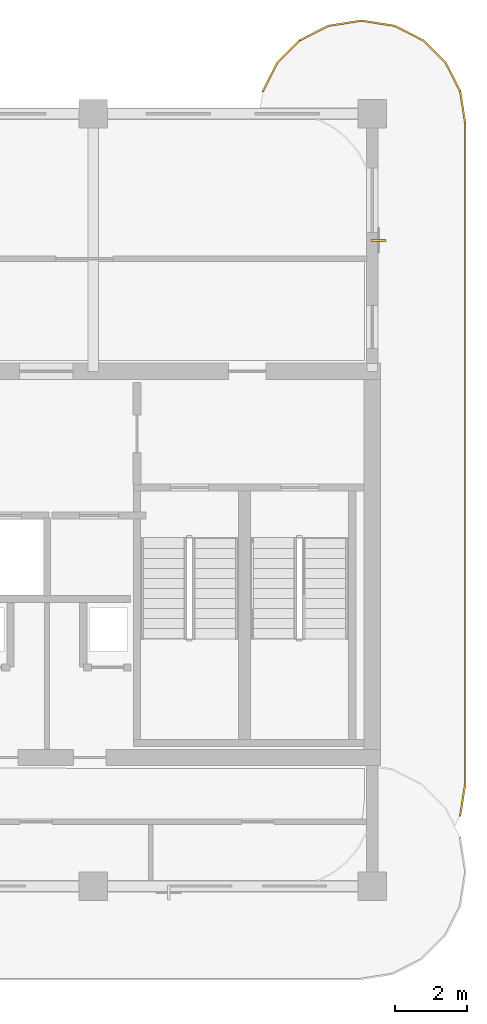
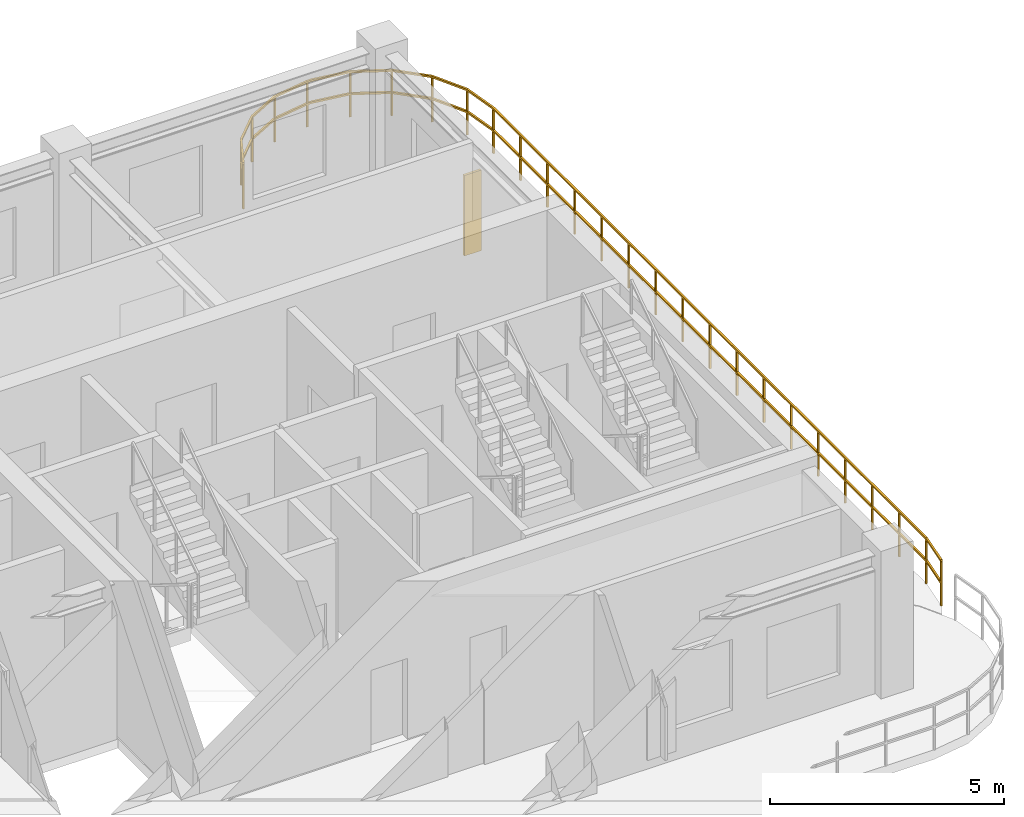
# One storey, part 8 of 8: 1 railing, 1 shading device.
"""IFC4 building model written with IfcOpenShell, lengths in metres."""

from ifc_helpers import new_model, si_unit, derived_unit, direction, frame, origin, origin_2d, place, context, subcontext, project, spatial, rectangle, extrude, source, transform, mapped, material, layer, layer_set, type_object, type_shapes, element, save


model = new_model("IFC4")

# Units and contexts
model_context = context("Model", 3, precision=1e-05, world=origin(), true_north=direction((0.0, 1.0)))
body_context = subcontext(model_context, "Body", "Model", "MODEL_VIEW")
ifc_project = project(units=[si_unit("LENGTHUNIT", "METRE"), si_unit("AREAUNIT", "SQUARE_METRE"), si_unit("VOLUMEUNIT", "CUBIC_METRE"), si_unit("PLANEANGLEUNIT", "RADIAN"), si_unit("MASSUNIT", "GRAM", prefix="KILO"), si_unit("THERMODYNAMICTEMPERATUREUNIT", "KELVIN"), si_unit("POWERUNIT", "WATT"), derived_unit("THERMALTRANSMITTANCEUNIT", [(si_unit("POWERUNIT", "WATT"), 1), (si_unit("AREAUNIT", "SQUARE_METRE"), -1), (si_unit("THERMODYNAMICTEMPERATUREUNIT", "KELVIN"), -1)])], contexts=[model_context])

# Site, building, storey
site_placement = place(None, origin())
site = spatial("IfcSite", under=ifc_project, at=site_placement, CompositionType="ELEMENT")
building_placement = place(site_placement, origin())
building = spatial("IfcBuilding", under=site, at=building_placement, Name="Zahravan Archway Hotel and Residences", CompositionType="ELEMENT")
storey_placement = place(building_placement, frame((0.0, 0.0, 263.5)))
storey = spatial("IfcBuildingStorey", under=building, at=storey_placement, Name="L66", CompositionType="ELEMENT", Elevation=263.5)

# Railing
ifc_material_1 = material(Name="Bronze & Laminated Glass Balustrade", Category="glass")
railing_type = type_object("IfcRailingType", Name="RL-BAL-1200", PredefinedType="BALUSTRADE", material=ifc_material_1)
railing_placement = place(storey_placement, frame((46.739501953125, 22.230712890625, 0.0)))
element("IfcRailing", 1, at=railing_placement, inside=storey, type_object=railing_type, Name="L66 Balustrade RL-SLB-BAL-L66-EA-1", PredefinedType="BALUSTRADE", context=body_context, shape_type="SweptSolid", body=[
    extrude(rectangle(XDim=0.048095703125, YDim=0.048095703125, at=origin_2d()), frame((0.0, 0.0, 1.17578125), z_axis=(0.453991409995, 0.891006060389, 0.0), x_axis=(-0.891006060389, 0.453991409995, 0.0)), (0.0, 0.0, 1.0), 0.8916015625),
    extrude(rectangle(XDim=0.048095703125, YDim=0.048095703125, at=origin_2d()), frame((0.0, 0.0, 0.60009765625), z_axis=(0.453991409995, 0.891006060389, 0.0), x_axis=(-0.891006060389, 0.453991409995, 0.0)), (0.0, 0.0, 1.0), 0.8916015625),
    extrude(rectangle(XDim=0.048095703125, YDim=0.048095703125, at=origin_2d()), frame((0.40478515625, 0.79443359375, 1.17578125), z_axis=(0.707106781187, 0.707106781187, 0.0), x_axis=(-0.707106781187, 0.707106781187, 0.0)), (0.0, 0.0, 1.0), 0.891845703125),
    extrude(rectangle(XDim=0.048095703125, YDim=0.048095703125, at=origin_2d()), frame((0.40478515625, 0.79443359375, 0.60009765625), z_axis=(0.707106781187, 0.707106781187, 0.0), x_axis=(-0.707106781187, 0.707106781187, 0.0)), (0.0, 0.0, 1.0), 0.891845703125),
    extrude(rectangle(XDim=0.048095703125, YDim=0.048095703125, at=origin_2d()), frame((1.035400390625, 1.425048828125, 1.17578125), z_axis=(0.891006060389, 0.453991409995, 0.0), x_axis=(-0.453991409995, 0.891006060389, 0.0)), (0.0, 0.0, 1.0), 0.8916015625),
    extrude(rectangle(XDim=0.048095703125, YDim=0.048095703125, at=origin_2d()), frame((1.035400390625, 1.425048828125, 0.60009765625), z_axis=(0.891006060389, 0.453991409995, 0.0), x_axis=(-0.453991409995, 0.891006060389, 0.0)), (0.0, 0.0, 1.0), 0.8916015625),
    extrude(rectangle(XDim=0.048095703125, YDim=0.048095703125, at=origin_2d()), frame((1.829833984375, 1.829833984375, 1.17578125), z_axis=(0.987700720307, 0.156356282588, 0.0), x_axis=(-0.156356282588, 0.987700720307, 0.0)), (0.0, 0.0, 1.0), 0.8916015625),
    extrude(rectangle(XDim=0.048095703125, YDim=0.048095703125, at=origin_2d()), frame((1.829833984375, 1.829833984375, 0.60009765625), z_axis=(0.987700720307, 0.156356282588, 0.0), x_axis=(-0.156356282588, 0.987700720307, 0.0)), (0.0, 0.0, 1.0), 0.8916015625),
    extrude(rectangle(XDim=0.048095703125, YDim=0.048095703125, at=origin_2d()), frame((2.71044921875, 1.96923828125, 1.17578125), z_axis=(1.0, 0.0, 0.0), x_axis=(0.0, 1.0, 0.0)), (0.0, 0.0, 1.0), 0.10009765625),
    extrude(rectangle(XDim=0.048095703125, YDim=0.048095703125, at=origin_2d()), frame((2.71044921875, 1.96923828125, 0.60009765625), z_axis=(1.0, 0.0, 0.0), x_axis=(0.0, 1.0, 0.0)), (0.0, 0.0, 1.0), 0.10009765625),
    extrude(rectangle(XDim=0.048095703125, YDim=0.048095703125, at=origin_2d()), frame((2.810546875, 1.96923828125, 1.17578125), z_axis=(0.987700720307, -0.156356282588, 0.0), x_axis=(0.156356282588, 0.987700720307, 0.0)), (0.0, 0.0, 1.0), 0.8916015625),
    extrude(rectangle(XDim=0.048095703125, YDim=0.048095703125, at=origin_2d()), frame((2.810546875, 1.96923828125, 0.60009765625), z_axis=(0.987700720307, -0.156356282588, 0.0), x_axis=(0.156356282588, 0.987700720307, 0.0)), (0.0, 0.0, 1.0), 0.8916015625),
    extrude(rectangle(XDim=0.048095703125, YDim=0.048095703125, at=origin_2d()), frame((3.691162109375, 1.829833984375, 1.17578125), z_axis=(0.891006060389, -0.453991409995, 0.0), x_axis=(0.453991409995, 0.891006060389, 0.0)), (0.0, 0.0, 1.0), 0.8916015625),
    extrude(rectangle(XDim=0.048095703125, YDim=0.048095703125, at=origin_2d()), frame((3.691162109375, 1.829833984375, 0.60009765625), z_axis=(0.891006060389, -0.453991409995, 0.0), x_axis=(0.453991409995, 0.891006060389, 0.0)), (0.0, 0.0, 1.0), 0.8916015625),
    extrude(rectangle(XDim=0.048095703125, YDim=0.048095703125, at=origin_2d()), frame((4.485595703125, 1.425048828125, 1.17578125), z_axis=(0.707106781187, -0.707106781187, 0.0), x_axis=(0.707106781187, 0.707106781187, 0.0)), (0.0, 0.0, 1.0), 0.891845703125),
    extrude(rectangle(XDim=0.048095703125, YDim=0.048095703125, at=origin_2d()), frame((4.485595703125, 1.425048828125, 0.60009765625), z_axis=(0.707106781187, -0.707106781187, 0.0), x_axis=(0.707106781187, 0.707106781187, 0.0)), (0.0, 0.0, 1.0), 0.891845703125),
    extrude(rectangle(XDim=0.048095703125, YDim=0.048095703125, at=origin_2d()), frame((5.1162109375, 0.79443359375, 1.17578125), z_axis=(0.453991409995, -0.891006060389, 0.0), x_axis=(0.891006060389, 0.453991409995, 0.0)), (0.0, 0.0, 1.0), 0.8916015625),
    extrude(rectangle(XDim=0.048095703125, YDim=0.048095703125, at=origin_2d()), frame((5.1162109375, 0.79443359375, 0.60009765625), z_axis=(0.453991409995, -0.891006060389, 0.0), x_axis=(0.891006060389, 0.453991409995, 0.0)), (0.0, 0.0, 1.0), 0.8916015625),
    extrude(rectangle(XDim=0.048095703125, YDim=0.048095703125, at=origin_2d()), frame((5.52099609375, 0.0, 1.17578125), z_axis=(0.156356282588, -0.987700720307, 0.0), x_axis=(0.987700720307, 0.156356282588, 0.0)), (0.0, 0.0, 1.0), 0.8916015625),
    extrude(rectangle(XDim=0.048095703125, YDim=0.048095703125, at=origin_2d()), frame((5.52099609375, 0.0, 0.60009765625), z_axis=(0.156356282588, -0.987700720307, 0.0), x_axis=(0.987700720307, 0.156356282588, 0.0)), (0.0, 0.0, 1.0), 0.8916015625),
    extrude(rectangle(XDim=0.048095703125, YDim=0.048095703125, at=origin_2d()), frame((5.660400390625, -0.880615234375, 1.17578125), z_axis=(0.0, -1.0, 0.0), x_axis=(1.0, 0.0, 0.0)), (0.0, 0.0, 1.0), 18.5),
    extrude(rectangle(XDim=0.048095703125, YDim=0.048095703125, at=origin_2d()), frame((5.660400390625, -0.880615234375, 0.60009765625), z_axis=(0.0, -1.0, 0.0), x_axis=(1.0, 0.0, 0.0)), (0.0, 0.0, 1.0), 18.5),
    extrude(rectangle(XDim=0.048095703125, YDim=0.048095703125, at=origin_2d()), frame((5.660400390625, -19.380615234375, 1.17578125), z_axis=(-0.156314005608, -0.987707411965, 0.0), x_axis=(0.987707411965, -0.156314005608, 0.0)), (0.0, 0.0, 1.0), 0.891845703125),
    extrude(rectangle(XDim=0.048095703125, YDim=0.048095703125, at=origin_2d()), frame((5.660400390625, -19.380615234375, 0.60009765625), z_axis=(-0.156314005608, -0.987707411965, 0.0), x_axis=(0.987707411965, -0.156314005608, 0.0)), (0.0, 0.0, 1.0), 0.891845703125),
    extrude(rectangle(XDim=0.0419921875, YDim=0.0419921875, at=origin_2d()), origin(), (0.0, 0.0, 1.0), 1.15185546875),
    extrude(rectangle(XDim=0.0419921875, YDim=0.0419921875, at=origin_2d()), frame((0.40478515625, 0.79443359375, 0.0)), (0.0, 0.0, 1.0), 1.15185546875),
    extrude(rectangle(XDim=0.0419921875, YDim=0.0419921875, at=origin_2d()), frame((1.035400390625, 1.425048828125, 0.0)), (0.0, 0.0, 1.0), 1.15185546875),
    extrude(rectangle(XDim=0.0419921875, YDim=0.0419921875, at=origin_2d()), frame((1.829833984375, 1.829833984375, 0.0)), (0.0, 0.0, 1.0), 1.15185546875),
    extrude(rectangle(XDim=0.0419921875, YDim=0.0419921875, at=origin_2d()), frame((2.71044921875, 1.96923828125, 0.0)), (0.0, 0.0, 1.0), 1.15185546875),
    extrude(rectangle(XDim=0.0419921875, YDim=0.0419921875, at=origin_2d()), frame((3.691162109375, 1.829833984375, 0.0)), (0.0, 0.0, 1.0), 1.15185546875),
    extrude(rectangle(XDim=0.0419921875, YDim=0.0419921875, at=origin_2d()), frame((4.485595703125, 1.425048828125, 0.0)), (0.0, 0.0, 1.0), 1.15185546875),
    extrude(rectangle(XDim=0.0419921875, YDim=0.0419921875, at=origin_2d()), frame((5.1162109375, 0.79443359375, 0.0)), (0.0, 0.0, 1.0), 1.15185546875),
    extrude(rectangle(XDim=0.0419921875, YDim=0.0419921875, at=origin_2d()), frame((5.52099609375, 0.0, 0.0)), (0.0, 0.0, 1.0), 1.15185546875),
    extrude(rectangle(XDim=0.0419921875, YDim=0.0419921875, at=origin_2d()), frame((5.660400390625, -0.880615234375, 0.0)), (0.0, 0.0, 1.0), 1.15185546875),
    extrude(rectangle(XDim=0.0419921875, YDim=0.0419921875, at=origin_2d()), frame((5.660400390625, -2.036865234375, 0.0)), (0.0, 0.0, 1.0), 1.15185546875),
    extrude(rectangle(XDim=0.0419921875, YDim=0.0419921875, at=origin_2d()), frame((5.660400390625, -3.193115234375, 0.0)), (0.0, 0.0, 1.0), 1.15185546875),
    extrude(rectangle(XDim=0.0419921875, YDim=0.0419921875, at=origin_2d()), frame((5.660400390625, -4.349365234375, 0.0)), (0.0, 0.0, 1.0), 1.15185546875),
    extrude(rectangle(XDim=0.0419921875, YDim=0.0419921875, at=origin_2d()), frame((5.660400390625, -5.505615234375, 0.0)), (0.0, 0.0, 1.0), 1.15185546875),
    extrude(rectangle(XDim=0.0419921875, YDim=0.0419921875, at=origin_2d()), frame((5.660400390625, -6.661865234375, 0.0)), (0.0, 0.0, 1.0), 1.15185546875),
    extrude(rectangle(XDim=0.0419921875, YDim=0.0419921875, at=origin_2d()), frame((5.660400390625, -7.818115234375, 0.0)), (0.0, 0.0, 1.0), 1.15185546875),
    extrude(rectangle(XDim=0.0419921875, YDim=0.0419921875, at=origin_2d()), frame((5.660400390625, -8.974365234375, 0.0)), (0.0, 0.0, 1.0), 1.15185546875),
    extrude(rectangle(XDim=0.0419921875, YDim=0.0419921875, at=origin_2d()), frame((5.660400390625, -10.130615234375, 0.0)), (0.0, 0.0, 1.0), 1.15185546875),
    extrude(rectangle(XDim=0.0419921875, YDim=0.0419921875, at=origin_2d()), frame((5.660400390625, -11.286865234375, 0.0)), (0.0, 0.0, 1.0), 1.15185546875),
    extrude(rectangle(XDim=0.0419921875, YDim=0.0419921875, at=origin_2d()), frame((5.660400390625, -12.443115234375, 0.0)), (0.0, 0.0, 1.0), 1.15185546875),
    extrude(rectangle(XDim=0.0419921875, YDim=0.0419921875, at=origin_2d()), frame((5.660400390625, -13.599365234375, 0.0)), (0.0, 0.0, 1.0), 1.15185546875),
    extrude(rectangle(XDim=0.0419921875, YDim=0.0419921875, at=origin_2d()), frame((5.660400390625, -14.755615234375, 0.0)), (0.0, 0.0, 1.0), 1.15185546875),
    extrude(rectangle(XDim=0.0419921875, YDim=0.0419921875, at=origin_2d()), frame((5.660400390625, -15.911865234375, 0.0)), (0.0, 0.0, 1.0), 1.15185546875),
    extrude(rectangle(XDim=0.0419921875, YDim=0.0419921875, at=origin_2d()), frame((5.660400390625, -17.068115234375, 0.0)), (0.0, 0.0, 1.0), 1.15185546875),
    extrude(rectangle(XDim=0.0419921875, YDim=0.0419921875, at=origin_2d()), frame((5.660400390625, -18.224365234375, 0.0)), (0.0, 0.0, 1.0), 1.15185546875),
    extrude(rectangle(XDim=0.0419921875, YDim=0.0419921875, at=origin_2d()), frame((5.660400390625, -19.380615234375, 0.0)), (0.0, 0.0, 1.0), 1.15185546875),
    extrude(rectangle(XDim=0.0419921875, YDim=0.0419921875, at=origin_2d()), frame((5.52099609375, -20.261474609375, 0.0)), (0.0, 0.0, 1.0), 1.15185546875),
])

# Shading device
ifc_material_2 = material(Name="Terracotta & Bronze Solar Brise-Soleil", Category="masonry")
ifc_layer = layer(ifc_material_2, 0.06005859375, Name="Terracotta & Bronze Solar Brise-Soleil", Category="masonry")
ifc_layer_set = layer_set([ifc_layer], Name="Terracotta & Bronze Solar Brise-Soleil")
shading_device_type = type_object("IfcShadingDeviceType", Name="SHD-MASH-FIN", PredefinedType="JALOUSIE", material=ifc_layer_set)
shared_shape = source(origin(), body_context, "Body", "SweptSolid", [
    extrude(rectangle(XDim=0.06005859375, YDim=0.419921875, at=origin_2d()), origin(), (0.0, 0.0, 1.0), 2.10009765625),
])
type_shapes(shading_device_type, [shared_shape])
shading_device_placement = place(storey_placement, frame((49.97802734375, 18.05908203125, 0.25), z_axis=(0.0, 0.0, 1.0), x_axis=(0.0, 1.0, 0.0)))
element("IfcShadingDevice", 2, at=shading_device_placement, inside=storey, type_object=shading_device_type, Name="L66 Solar Mashrabiya Fin 05", PredefinedType="JALOUSIE", context=body_context, shape_type="MappedRepresentation", body=[
    mapped(shared_shape, transform((0.0, 0.0, 0.0), scale=1.0)),
])

save(model, "model.ifc")
